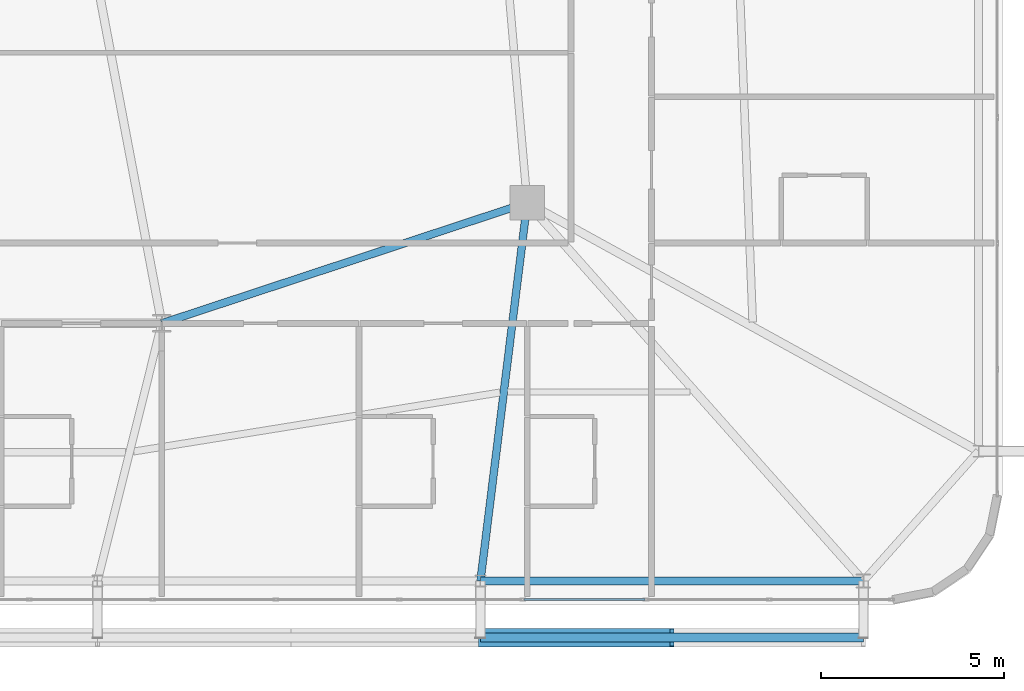
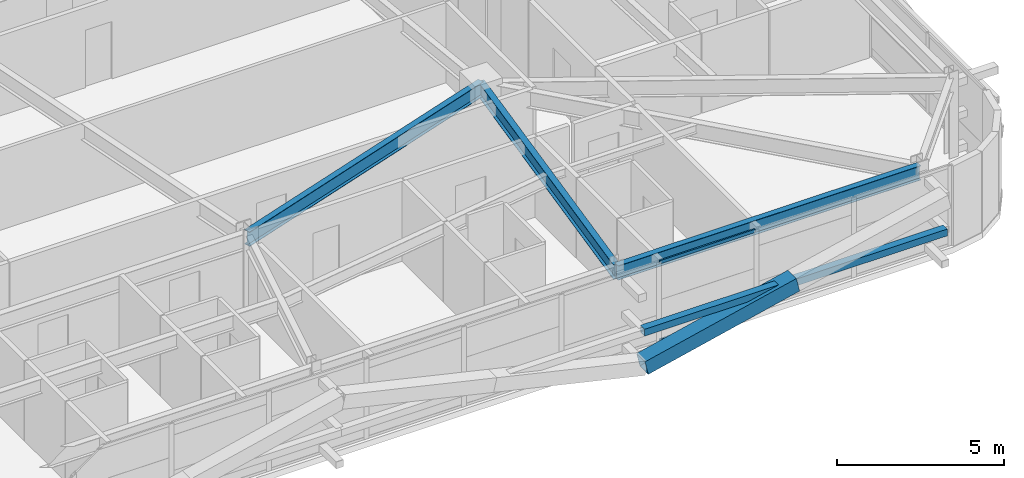
# One storey, part 22 of 59: 4 members, 3 beams, 1 element without a shape of its own.
"""IFC4 building model written with IfcOpenShell, lengths in metres."""

from ifc_helpers import new_model, si_unit, direction, frame, origin, origin_2d, place, context, subcontext, project, spatial, hollow_rectangle, i_section, extrude, source, transform, mapped, material, layer, layer_set, material_profile, profile_set, type_object, element, aggregate, save


model = new_model("IFC4")

# Units and contexts
model_context = context("Model", 3, precision=1e-05, world=origin(), true_north=direction((0.0, 1.0)))
body_context = subcontext(model_context, "Body", "Model", "MODEL_VIEW")
ifc_project = project(units=[si_unit("LENGTHUNIT", "METRE"), si_unit("AREAUNIT", "SQUARE_METRE"), si_unit("VOLUMEUNIT", "CUBIC_METRE"), si_unit("PLANEANGLEUNIT", "RADIAN"), si_unit("MASSUNIT", "GRAM", prefix="KILO")], contexts=[model_context])

# Site, building, storey
site_placement = place(None, origin())
site = spatial("IfcSite", under=ifc_project, at=site_placement, CompositionType="ELEMENT")
building_placement = place(site_placement, origin())
building = spatial("IfcBuilding", under=site, at=building_placement, Name="Taldren Reach Tower", CompositionType="ELEMENT")
storey_placement = place(building_placement, frame((0.0, 0.0, 23.10009765625)))
storey = spatial("IfcBuildingStorey", under=building, at=storey_placement, Name="L06", CompositionType="ELEMENT", Elevation=23.10009765625)

# Beams
ifc_material_1 = material(Name="Steel Gr 350 (350PLUS)", Category="steel")
ifc_material_profile_1 = material_profile(ifc_material_1, i_section(OverallWidth=0.208984375, OverallDepth=0.532958984375, WebThickness=0.01025390625, FlangeThickness=0.015625, at=origin_2d()), Name="530UB92.4")
ifc_profile_set_1 = profile_set([ifc_material_profile_1], Name="Steel Gr 350 (350PLUS)")
beam_type_1 = type_object("IfcBeamType", Name="BM-UB530A", PredefinedType="BEAM", material=ifc_profile_set_1)
shared_shape_1 = source(origin(), body_context, "Body", "SweptSolid", [
    extrude(i_section(OverallWidth=0.208984375, OverallDepth=0.532958984375, WebThickness=0.01025390625, FlangeThickness=0.015625, at=origin_2d()), origin(), (0.0, 0.0, 1.0), 10.530517578125),
])
beam_1_placement = place(storey_placement, frame((42.0, 9.199951171875, 2.663330078125), z_axis=(0.949627269203, 0.313381635689, 0.0), x_axis=(-0.313381635689, 0.949627269203, 0.0)))
element("IfcBeam", 1, at=beam_1_placement, inside=storey, type_object=beam_type_1, Name="Core-spine girder L06-SP12", PredefinedType="BEAM", context=body_context, shape_type="MappedRepresentation", body=[
    mapped(shared_shape_1, transform((0.0, 0.0, 0.0), scale=1.0)),
])
ifc_material_profile_2 = material_profile(ifc_material_1, i_section(OverallWidth=0.208984375, OverallDepth=0.528076171875, WebThickness=0.009521484375, FlangeThickness=0.01318359375, at=origin_2d()), Name="530UB82.0")
ifc_profile_set_2 = profile_set([ifc_material_profile_2], Name="Steel Gr 350 (350PLUS)")
beam_type_2 = type_object("IfcBeamType", Name="SP-UB530B", PredefinedType="SPANDREL", material=ifc_profile_set_2)
shared_shape_2 = source(origin(), body_context, "Body", "SweptSolid", [
    extrude(i_section(OverallWidth=0.208984375, OverallDepth=0.528076171875, WebThickness=0.009521484375, FlangeThickness=0.01318359375, at=origin_2d()), origin(), (0.0, 0.0, 1.0), 10.47998046875),
])
beam_2_placement = place(storey_placement, frame((50.719970703125, 2.14990234375, 2.666015625), z_axis=(1.0, 0.0, 0.0), x_axis=(0.0, 1.0, 0.0)))
element("IfcBeam", 2, at=beam_2_placement, inside=storey, type_object=beam_type_2, Name="Perimeter spandrel B1 S5-S6 L06", PredefinedType="SPANDREL", context=body_context, shape_type="MappedRepresentation", body=[
    mapped(shared_shape_2, transform((0.0, 0.0, 0.0), scale=1.0)),
])
shared_shape_3 = source(origin(), body_context, "Body", "SweptSolid", [
    extrude(i_section(OverallWidth=0.208984375, OverallDepth=0.532958984375, WebThickness=0.01025390625, FlangeThickness=0.015625, at=origin_2d()), origin(), (0.0, 0.0, 1.0), 10.428955078125),
])
beam_3_placement = place(storey_placement, frame((52.0, 12.5, 2.663330078125), z_axis=(-0.122738080664, -0.992439098159, 0.0), x_axis=(0.992439098159, -0.122738080664, 0.0)))
element("IfcBeam", 3, at=beam_3_placement, inside=storey, type_object=beam_type_1, Name="Primary floor girder B1-S5 L06", PredefinedType="BEAM", context=body_context, shape_type="MappedRepresentation", body=[
    mapped(shared_shape_3, transform((0.0, 0.0, 0.0), scale=1.0)),
])

# Members
ifc_material_2 = material(Name="Steel Gr 450 (C450L0)", Category="steel")
ifc_material_profile_3 = material_profile(ifc_material_2, hollow_rectangle(XDim=0.510009765625, YDim=0.510009765625, WallThickness=0.02001953125, at=origin_2d()), Name="510x510x20.0SHS")
ifc_profile_set_3 = profile_set([ifc_material_profile_3], Name="Steel Gr 450 (C450L0)")
member_type_1 = type_object("IfcMemberType", Name="MB-EXO508", PredefinedType="BRACE", material=ifc_profile_set_3)
shared_shape_4 = source(origin(), body_context, "Body", "SweptSolid", [
    extrude(hollow_rectangle(XDim=0.510009765625, YDim=0.510009765625, WallThickness=0.02001953125, at=origin_2d()), origin(), (0.0, 0.0, 1.0), 5.37890625),
])
member_1_placement = place(storey_placement, frame((50.719970703125, 0.60009765625, 0.219970703125), z_axis=(0.974161966843, 0.0, 0.225850531007), x_axis=(0.0, 1.0, 0.0)))
element("IfcMember", 4, at=member_1_placement, inside=storey, type_object=member_type_1, Name="Exoskeleton Diagrid Brace B1-S5 L06", PredefinedType="BRACE", context=body_context, shape_type="MappedRepresentation", body=[
    mapped(shared_shape_4, transform((0.0, 0.0, 0.0), scale=1.0)),
])
ifc_material_3 = material(Name="Steel Gr 350 (C350L0)", Category="steel")
ifc_material_profile_4 = material_profile(ifc_material_3, hollow_rectangle(XDim=0.25, YDim=0.25, WallThickness=0.010009765625, at=origin_2d()), Name="250x250x10.0SHS")
ifc_profile_set_4 = profile_set([ifc_material_profile_4], Name="Steel Gr 350 (C350L0)")
member_type_2 = type_object("IfcMemberType", Name="MB-POST250", PredefinedType="POST", material=ifc_profile_set_4)
shared_shape_5 = source(origin(), body_context, "Body", "SweptSolid", [
    extrude(hollow_rectangle(XDim=0.25, YDim=0.25, WallThickness=0.010009765625, at=origin_2d()), origin(), (0.0, 0.0, 1.0), 10.47998046875),
])
member_2_placement = place(storey_placement, frame((50.719970703125, 0.60009765625, 1.434814453125), z_axis=(1.0, 0.0, 0.0), x_axis=(0.0, 1.0, 0.0)))
element("IfcMember", 5, at=member_2_placement, inside=storey, type_object=member_type_2, Name="Exoskeleton mid-height ring chord B1-S5 L06", PredefinedType="POST", context=body_context, shape_type="MappedRepresentation", body=[
    mapped(shared_shape_5, transform((0.0, 0.0, 0.0), scale=1.0)),
])

# Curtain wall, members
ifc_material_4 = material(Name="Aluminium and Low-E Glass Unitised System", Category="aluminium")
ifc_layer = layer(ifc_material_4, 0.159912109375)
ifc_layer_set = layer_set([ifc_layer], Name="Aluminium and Low-E Glass Unitised System")
curtain_wall_type = type_object("IfcCurtainWallType", Name="CW-SYS-2", PredefinedType="NOTDEFINED", material=ifc_layer_set)
curtain_wall_placement = place(storey_placement, origin())
curtain_wall = element("IfcCurtainWall", 6, at=curtain_wall_placement, inside=storey, type_object=curtain_wall_type, Name="Unitised curtain wall CW-L06-S", PredefinedType="NOTDEFINED")
ifc_material_5 = material(Name="Anodised Aluminium 6063-T6", Category="aluminium")
ifc_material_profile_5 = material_profile(ifc_material_5, hollow_rectangle(XDim=0.054931640625, YDim=0.1201171875, WallThickness=0.0029296875, at=origin_2d()), Name="ALU-120x55x3RHS")
ifc_profile_set_5 = profile_set([ifc_material_profile_5], Name="Anodised Aluminium 6063-T6")
member_type_3 = type_object("IfcMemberType", Name="CW-TRN-135", PredefinedType="USERDEFINED", material=ifc_profile_set_5)
shared_shape_6 = source(origin(), body_context, "Body", "SweptSolid", [
    extrude(hollow_rectangle(XDim=0.054931640625, YDim=0.1201171875, WallThickness=0.0029296875, at=origin_2d()), origin(), (0.0, 0.0, 1.0), 3.31005859375),
])
member_3_placement = place(storey_placement, frame((51.907470703125, 1.639892578125, 0.02734375), z_axis=(1.0, 0.0, 0.0), x_axis=(0.0, 1.0, 0.0)))
member_3 = element("IfcMember", 7, at=member_3_placement, type_object=member_type_3, Name="CW-2 transom 14.1", ObjectType="TRANSOM", PredefinedType="USERDEFINED", context=body_context, shape_type="MappedRepresentation", body=[
    mapped(shared_shape_6, transform((0.0, 0.0, 0.0), scale=1.0)),
])
member_4_placement = place(storey_placement, frame((51.907470703125, 1.639892578125, 2.90234375), z_axis=(1.0, 0.0, 0.0), x_axis=(0.0, 1.0, 0.0)))
member_4 = element("IfcMember", 8, at=member_4_placement, type_object=member_type_3, Name="CW-2 transom 14.2", ObjectType="TRANSOM", PredefinedType="USERDEFINED", context=body_context, shape_type="MappedRepresentation", body=[
    mapped(shared_shape_6, transform((0.0, 0.0, 0.0), scale=1.0)),
])
aggregate(curtain_wall, [member_3, member_4])

save(model, "model.ifc")
